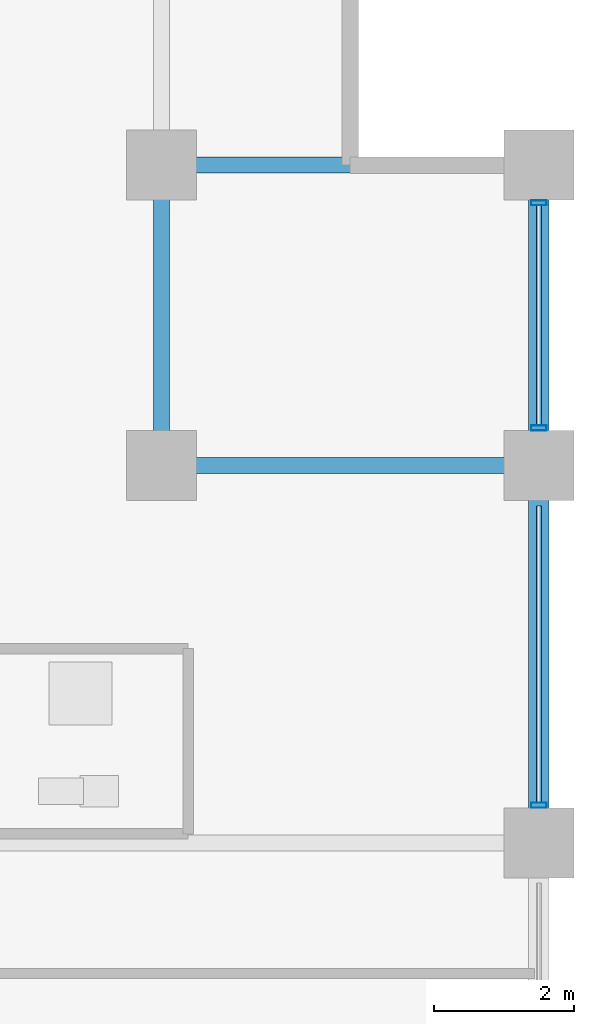
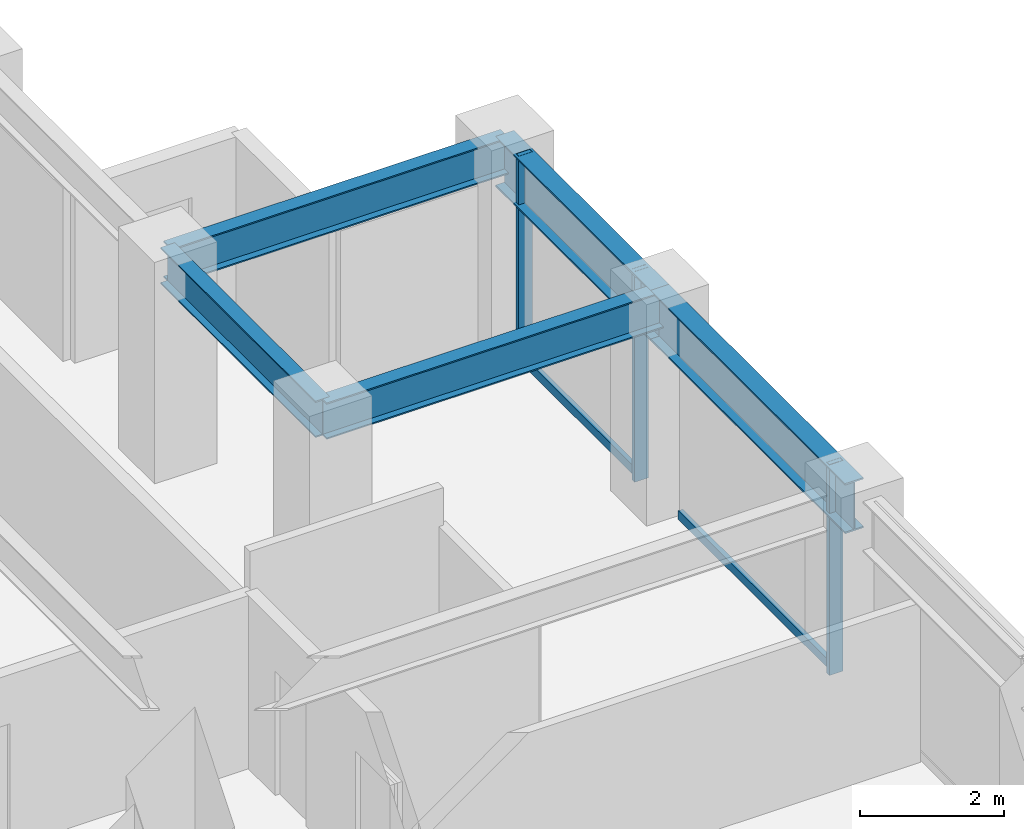
# One storey, part 15 of 23: 5 beams, 5 members, 1 element without a shape of its own.
"""IFC4 building model written with IfcOpenShell, lengths in metres."""

from ifc_helpers import new_model, si_unit, direction, frame, origin, origin_2d, place, context, subcontext, project, spatial, hollow_rectangle, i_section, extrude, material, layer, layer_set, material_profile, profile_set, type_object, element, aggregate, save


model = new_model("IFC4")

# Units and contexts
model_context = context("Model", 3, precision=1e-05, world=origin(), true_north=direction((0.0, 1.0)))
body_context = subcontext(model_context, "Body", "Model", "MODEL_VIEW")
ifc_project = project(units=[si_unit("LENGTHUNIT", "METRE"), si_unit("AREAUNIT", "SQUARE_METRE"), si_unit("VOLUMEUNIT", "CUBIC_METRE"), si_unit("PLANEANGLEUNIT", "RADIAN"), si_unit("MASSUNIT", "GRAM", prefix="KILO")], contexts=[model_context])

# Site, building, storey
site_placement = place(None, origin())
site = spatial("IfcSite", under=ifc_project, at=site_placement, CompositionType="ELEMENT")
building_placement = place(site_placement, origin())
building = spatial("IfcBuilding", under=site, at=building_placement, Name="Surkhivell Harbour Commons", CompositionType="ELEMENT")
storey_placement = place(building_placement, frame((0.0, 0.0, 132.0)))
storey = spatial("IfcBuildingStorey", under=building, at=storey_placement, Name="L34", CompositionType="ELEMENT", Elevation=132.0)

# Beams
ifc_material_1 = material(Name="Steel S355", Category="steel")
ifc_material_profile_1 = material_profile(ifc_material_1, i_section(OverallWidth=0.22998046875, OverallDepth=0.616943359375, WebThickness=0.01318359375, FlangeThickness=0.022216796875, at=origin_2d()), Name="UB610x229x140")
ifc_profile_set_1 = profile_set([ifc_material_profile_1], Name="Steel S355")
beam_type_1 = type_object("IfcBeamType", Name="BM-GRD-610B", PredefinedType="BEAM", material=ifc_profile_set_1)
beam_1_placement = place(storey_placement, frame((16.199951171875, 16.199951171875, 3.261474609375), z_axis=(0.0, 1.0, 0.0), x_axis=(-1.0, 0.0, 0.0)))
element("IfcBeam", 1, at=beam_1_placement, inside=storey, type_object=beam_type_1, Name="L34 Floor Girder (16.2,16.2)", PredefinedType="BEAM", context=body_context, shape_type="SweptSolid", body=[
    extrude(i_section(OverallWidth=0.22998046875, OverallDepth=0.616943359375, WebThickness=0.01318359375, FlangeThickness=0.022216796875, at=origin_2d()), origin(), (0.0, 0.0, 1.0), 4.300048828125),
])
for number, where, z_axis, x_axis, name in (
    (2, (16.199951171875, 16.199951171875, 3.261474609375), (1.0, 0.0, 0.0), (0.0, 1.0, 0.0), "L34 Floor Girder (16.2,16.2)"),
    (3, (16.199951171875, 20.5, 3.261474609375), (1.0, 0.0, 0.0), (0.0, 1.0, 0.0), "L34 Floor Girder (16.2,20.5)"),
):
    element("IfcBeam", number, at=place(storey_placement, frame(where, z_axis=z_axis, x_axis=x_axis)), inside=storey, type_object=beam_type_1, Name=name, PredefinedType="BEAM", context=body_context, shape_type="SweptSolid", body=[
        extrude(i_section(OverallWidth=0.22998046875, OverallDepth=0.616943359375, WebThickness=0.01318359375, FlangeThickness=0.022216796875, at=origin_2d()), origin(), (0.0, 0.0, 1.0), 5.400146484375),
    ])
ifc_material_2 = material(Name="Steel S460", Category="steel")
ifc_material_profile_2 = material_profile(ifc_material_2, i_section(OverallWidth=0.2939453125, OverallDepth=0.85107421875, WebThickness=0.01611328125, FlangeThickness=0.02685546875, at=origin_2d()), Name="UB838x292x226")
ifc_profile_set_2 = profile_set([ifc_material_profile_2], Name="Steel S460")
beam_type_2 = type_object("IfcBeamType", Name="BM-SPN-838", PredefinedType="SPANDREL", material=ifc_profile_set_2)
beam_2_placement = place(storey_placement, frame((21.60009765625, 10.800048828125, 3.14453125), z_axis=(0.0, 1.0, 0.0), x_axis=(-1.0, 0.0, 0.0)))
element("IfcBeam", 4, at=beam_2_placement, inside=storey, type_object=beam_type_2, Name="L34 Tube Spandrel (21.6,10.8)", PredefinedType="SPANDREL", context=body_context, shape_type="SweptSolid", body=[
    extrude(i_section(OverallWidth=0.2939453125, OverallDepth=0.85107421875, WebThickness=0.01611328125, FlangeThickness=0.02685546875, at=origin_2d()), origin(), (0.0, 0.0, 1.0), 5.39990234375),
])
beam_3_placement = place(storey_placement, frame((21.60009765625, 16.199951171875, 3.14453125), z_axis=(0.0, 1.0, 0.0), x_axis=(-1.0, 0.0, 0.0)))
element("IfcBeam", 5, at=beam_3_placement, inside=storey, type_object=beam_type_2, Name="L34 Tube Spandrel (21.6,16.2)", PredefinedType="SPANDREL", context=body_context, shape_type="SweptSolid", body=[
    extrude(i_section(OverallWidth=0.2939453125, OverallDepth=0.85107421875, WebThickness=0.01611328125, FlangeThickness=0.02685546875, at=origin_2d()), origin(), (0.0, 0.0, 1.0), 4.300048828125),
])

# Curtain wall, members
ifc_material_3 = material(Name="Anodised pale-metal aluminium and insulated glazing", Category="aluminium")
ifc_layer = layer(ifc_material_3, 0.205078125)
ifc_layer_set = layer_set([ifc_layer], Name="Anodised pale-metal aluminium and insulated glazing")
curtain_wall_type = type_object("IfcCurtainWallType", Name="CW-SYS-Z2", PredefinedType="NOTDEFINED", material=ifc_layer_set)
curtain_wall_placement = place(storey_placement, origin())
curtain_wall = element("IfcCurtainWall", 6, at=curtain_wall_placement, inside=storey, type_object=curtain_wall_type, Name="L34 Curtain Wall CW-L34-E02", PredefinedType="NOTDEFINED")
ifc_material_4 = material(Name="Anodised pale-metal aluminium alloy 6063-T6", Category="aluminium")
ifc_material_profile_3 = material_profile(ifc_material_4, hollow_rectangle(XDim=0.074951171875, YDim=0.219970703125, WallThickness=0.00390625, at=origin_2d()), Name="ALU-MULL-75x220")
ifc_profile_set_3 = profile_set([ifc_material_profile_3], Name="Anodised pale-metal aluminium alloy 6063-T6")
member_type_1 = type_object("IfcMemberType", Name="CWM-220", PredefinedType="MULLION", material=ifc_profile_set_3)
member_1_placement = place(storey_placement, frame((21.60009765625, 11.339599609375, 0.0), z_axis=(0.0, 0.0, 1.0), x_axis=(0.0, 1.0, 0.0)))
member_1 = element("IfcMember", 7, at=member_1_placement, type_object=member_type_1, Name="CW-Z2 mullion 4", PredefinedType="MULLION", context=body_context, shape_type="SweptSolid", body=[
    extrude(hollow_rectangle(XDim=0.074951171875, YDim=0.219970703125, WallThickness=0.00390625, at=origin_2d()), origin(), (0.0, 0.0, 1.0), 3.570068359375),
])
member_2_placement = place(storey_placement, frame((21.60009765625, 16.739501953125, 0.0), z_axis=(0.0, 0.0, 1.0), x_axis=(0.0, 1.0, 0.0)))
member_2 = element("IfcMember", 8, at=member_2_placement, type_object=member_type_1, Name="CW-Z2 mullion 5", PredefinedType="MULLION", context=body_context, shape_type="SweptSolid", body=[
    extrude(hollow_rectangle(XDim=0.074951171875, YDim=0.219970703125, WallThickness=0.00390625, at=origin_2d()), origin(), (0.0, 0.0, 1.0), 3.570068359375),
])
member_3_placement = place(storey_placement, frame((21.60009765625, 19.96044921875, 0.0), z_axis=(0.0, 0.0, 1.0), x_axis=(0.0, 1.0, 0.0)))
member_3 = element("IfcMember", 9, at=member_3_placement, type_object=member_type_1, Name="CW-Z2 mullion 6", PredefinedType="MULLION", context=body_context, shape_type="SweptSolid", body=[
    extrude(hollow_rectangle(XDim=0.074951171875, YDim=0.219970703125, WallThickness=0.00390625, at=origin_2d()), origin(), (0.0, 0.0, 1.0), 3.570068359375),
])
ifc_material_profile_4 = material_profile(ifc_material_4, hollow_rectangle(XDim=0.074951171875, YDim=0.14990234375, WallThickness=0.00341796875, at=origin_2d()), Name="ALU-TRAN-75x150")
ifc_profile_set_4 = profile_set([ifc_material_profile_4], Name="Anodised pale-metal aluminium alloy 6063-T6")
member_type_2 = type_object("IfcMemberType", Name="CWT-150", PredefinedType="USERDEFINED", material=ifc_profile_set_4)
member_4_placement = place(storey_placement, frame((21.60009765625, 11.376953125, 0.074951171875), z_axis=(0.0, 1.0, 0.0), x_axis=(-1.0, 0.0, 0.0)))
member_4 = element("IfcMember", 10, at=member_4_placement, type_object=member_type_2, Name="CW-Z2 transom 4.1", ObjectType="TRANSOM", PredefinedType="USERDEFINED", context=body_context, shape_type="SweptSolid", body=[
    extrude(hollow_rectangle(XDim=0.074951171875, YDim=0.14990234375, WallThickness=0.00341796875, at=origin_2d()), origin(), (0.0, 0.0, 1.0), 4.24609375),
])
member_5_placement = place(storey_placement, frame((21.60009765625, 16.777099609375, 0.074951171875), z_axis=(0.0, 1.0, 0.0), x_axis=(-1.0, 0.0, 0.0)))
member_5 = element("IfcMember", 11, at=member_5_placement, type_object=member_type_2, Name="CW-Z2 transom 5.1", ObjectType="TRANSOM", PredefinedType="USERDEFINED", context=body_context, shape_type="SweptSolid", body=[
    extrude(hollow_rectangle(XDim=0.074951171875, YDim=0.14990234375, WallThickness=0.00341796875, at=origin_2d()), origin(), (0.0, 0.0, 1.0), 3.14599609375),
])
aggregate(curtain_wall, [member_1, member_4, member_2, member_3, member_5])

save(model, "model.ifc")
